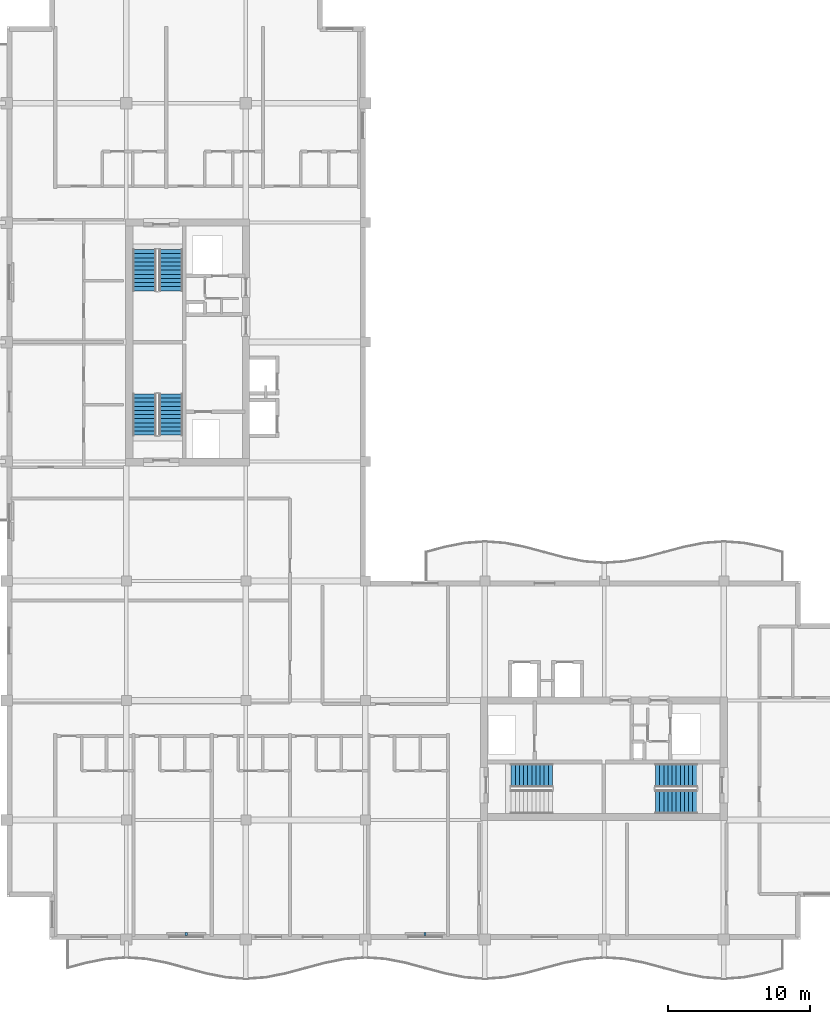
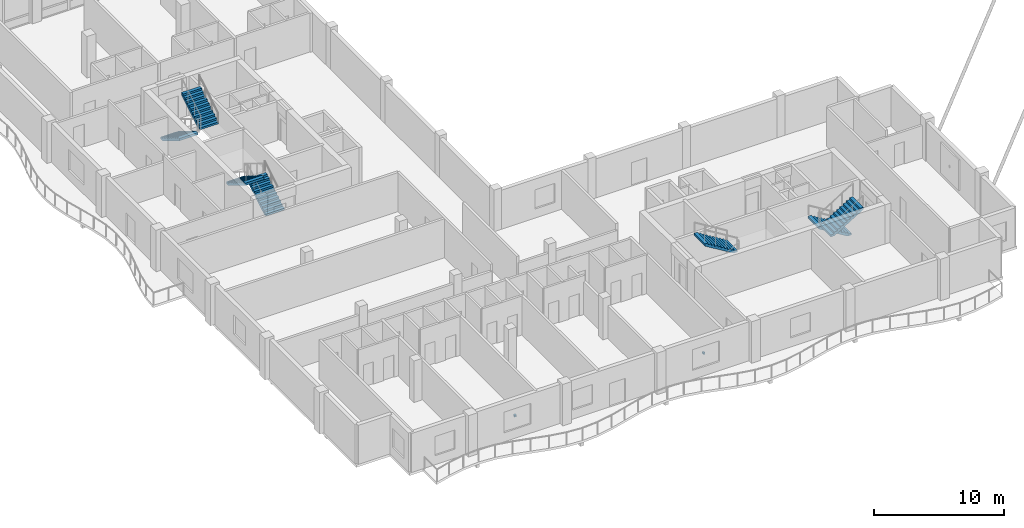
# One storey, part 12 of 17: 7 stair flights, 2 discrete accessories, 4 elements without a shape of their own.
"""IFC4 building model written with IfcOpenShell, lengths in metres."""

from ifc_helpers import new_model, si_unit, direction, frame, origin, origin_2d, place, context, subcontext, project, spatial, polyline, rectangle, outline, extrude, material, type_object, element, aggregate, save


model = new_model("IFC4")

# Units and contexts
model_context = context("Model", 3, precision=1e-05, world=origin(), true_north=direction((0.0, 1.0)))
body_context = subcontext(model_context, "Body", "Model", "MODEL_VIEW")
ifc_project = project(units=[si_unit("LENGTHUNIT", "METRE"), si_unit("AREAUNIT", "SQUARE_METRE"), si_unit("VOLUMEUNIT", "CUBIC_METRE"), si_unit("PLANEANGLEUNIT", "RADIAN"), si_unit("MASSUNIT", "GRAM", prefix="KILO")], contexts=[model_context])

# Site, building, storey
site_placement = place(None, origin())
site = spatial("IfcSite", under=ifc_project, at=site_placement, CompositionType="ELEMENT")
building_placement = place(site_placement, origin())
building = spatial("IfcBuilding", under=site, at=building_placement, Name="Koriwani Terraces Tower", CompositionType="ELEMENT")
storey_placement = place(building_placement, frame((0.0, 0.0, 347.60009765625)))
storey = spatial("IfcBuildingStorey", under=building, at=storey_placement, Name="L86", CompositionType="ELEMENT", Elevation=347.60009765625)

# Stair, stair flights
ifc_material_1 = material(Name="Concrete C40/50", Category="concrete")
stair_type = type_object("IfcStairType", Name="STAIR_CORE_DOGLEG_1650", PredefinedType="TWO_STRAIGHT_RUN_STAIR", material=ifc_material_1)
stair_1_placement = place(storey_placement, origin())
stair_1 = element("IfcStair", 1, at=stair_1_placement, inside=storey, type_object=stair_type, Name="L86 West Core Exit Stair 1", PredefinedType="HALF_TURN_STAIR")
stair_flight_type = type_object("IfcStairFlightType", Name="STAIR_FLIGHT_RC_1650", PredefinedType="STRAIGHT", material=ifc_material_1)
stair_flight_1_placement = place(storey_placement, frame((19.925048828125, 43.85009765625, 0.0), z_axis=(0.0, 0.0, 1.0), x_axis=(0.0, 1.0, 0.0)))
stair_flight_1 = element("IfcStairFlight", 2, at=stair_flight_1_placement, type_object=stair_flight_type, Name="ST-W1 flight 1", NumberOfRisers=11, NumberOfTreads=10, PredefinedType="STRAIGHT", RiserHeight=0.177272727, TreadLength=0.29, context=body_context, shape_type="SweptSolid", body=[
    extrude(outline(polyline([(0.0, 0.0), (0.0, 0.17724609375), (0.2900390625, 0.17724609375), (0.2900390625, 0.3544921875), (0.580078125, 0.3544921875), (0.580078125, 0.53173828125), (0.8701171875, 0.53173828125), (0.8701171875, 0.708984375), (1.159912109375, 0.708984375), (1.159912109375, 0.886474609375), (1.449951171875, 0.886474609375), (1.449951171875, 1.063720703125), (1.739990234375, 1.063720703125), (1.739990234375, 1.240966796875), (2.030029296875, 1.240966796875), (2.030029296875, 1.418212890625), (2.320068359375, 1.418212890625), (2.320068359375, 1.595458984375), (2.610107421875, 1.595458984375), (2.610107421875, 1.772705078125), (2.89990234375, 1.772705078125), (2.89990234375, 1.949951171875), (2.89990234375, 1.561767578125), (0.344970703125, 0.0), (0.0, 0.0)])), frame((0.0, 0.824951171875, 0.0), z_axis=(0.0, -1.0, 0.0), x_axis=(1.0, 0.0, 0.0)), (0.0, 0.0, 1.0), 1.64990234375),
])
stair_flight_2_placement = place(storey_placement, frame((18.074951171875, 46.75, 1.949951171875), z_axis=(0.0, 0.0, 1.0), x_axis=(0.0, -1.0, 0.0)))
stair_flight_2 = element("IfcStairFlight", 3, at=stair_flight_2_placement, type_object=stair_flight_type, Name="ST-W1 flight 2", NumberOfRisers=11, NumberOfTreads=10, PredefinedType="STRAIGHT", RiserHeight=0.177272727, TreadLength=0.29, context=body_context, shape_type="SweptSolid", body=[
    extrude(outline(polyline([(0.0, 0.0), (0.0, 0.17724609375), (0.2900390625, 0.17724609375), (0.2900390625, 0.3544921875), (0.580078125, 0.3544921875), (0.580078125, 0.53173828125), (0.8701171875, 0.53173828125), (0.8701171875, 0.708984375), (1.159912109375, 0.708984375), (1.159912109375, 0.886474609375), (1.449951171875, 0.886474609375), (1.449951171875, 1.063720703125), (1.739990234375, 1.063720703125), (1.739990234375, 1.240966796875), (2.030029296875, 1.240966796875), (2.030029296875, 1.418212890625), (2.320068359375, 1.418212890625), (2.320068359375, 1.595458984375), (2.610107421875, 1.595458984375), (2.610107421875, 1.772705078125), (2.89990234375, 1.772705078125), (2.89990234375, 1.949951171875), (2.89990234375, 1.561767578125), (0.344970703125, 0.0), (0.0, 0.0)])), frame((0.0, 0.824951171875, 0.0), z_axis=(0.0, -1.0, 0.0), x_axis=(1.0, 0.0, 0.0)), (0.0, 0.0, 1.0), 1.64990234375),
])
aggregate(stair_1, [stair_flight_1, stair_flight_2])

stair_2_placement = place(storey_placement, origin())
stair_2 = element("IfcStair", 4, at=stair_2_placement, inside=storey, type_object=stair_type, Name="L86 West Core Exit Stair 2", PredefinedType="HALF_TURN_STAIR")
stair_flight_3_placement = place(storey_placement, frame((18.074951171875, 56.89990234375, 0.0), z_axis=(0.0, 0.0, 1.0), x_axis=(0.0, -1.0, 0.0)))
stair_flight_3 = element("IfcStairFlight", 5, at=stair_flight_3_placement, type_object=stair_flight_type, Name="ST-W2 flight 1", NumberOfRisers=11, NumberOfTreads=10, PredefinedType="STRAIGHT", RiserHeight=0.177272727, TreadLength=0.29, context=body_context, shape_type="SweptSolid", body=[
    extrude(outline(polyline([(0.0, 0.0), (0.0, 0.17724609375), (0.2900390625, 0.17724609375), (0.2900390625, 0.3544921875), (0.580078125, 0.3544921875), (0.580078125, 0.53173828125), (0.8701171875, 0.53173828125), (0.8701171875, 0.708984375), (1.159912109375, 0.708984375), (1.159912109375, 0.886474609375), (1.449951171875, 0.886474609375), (1.449951171875, 1.063720703125), (1.739990234375, 1.063720703125), (1.739990234375, 1.240966796875), (2.030029296875, 1.240966796875), (2.030029296875, 1.418212890625), (2.320068359375, 1.418212890625), (2.320068359375, 1.595458984375), (2.610107421875, 1.595458984375), (2.610107421875, 1.772705078125), (2.89990234375, 1.772705078125), (2.89990234375, 1.949951171875), (2.89990234375, 1.561767578125), (0.344970703125, 0.0), (0.0, 0.0)])), frame((0.0, 0.824951171875, 0.0), z_axis=(0.0, -1.0, 0.0), x_axis=(1.0, 0.0, 0.0)), (0.0, 0.0, 1.0), 1.64990234375),
])
stair_flight_4_placement = place(storey_placement, frame((19.925048828125, 54.0, 1.949951171875), z_axis=(0.0, 0.0, 1.0), x_axis=(0.0, 1.0, 0.0)))
stair_flight_4 = element("IfcStairFlight", 6, at=stair_flight_4_placement, type_object=stair_flight_type, Name="ST-W2 flight 2", NumberOfRisers=11, NumberOfTreads=10, PredefinedType="STRAIGHT", RiserHeight=0.177272727, TreadLength=0.29, context=body_context, shape_type="SweptSolid", body=[
    extrude(outline(polyline([(0.0, 0.0), (0.0, 0.17724609375), (0.2900390625, 0.17724609375), (0.2900390625, 0.3544921875), (0.580078125, 0.3544921875), (0.580078125, 0.53173828125), (0.8701171875, 0.53173828125), (0.8701171875, 0.708984375), (1.159912109375, 0.708984375), (1.159912109375, 0.886474609375), (1.449951171875, 0.886474609375), (1.449951171875, 1.063720703125), (1.739990234375, 1.063720703125), (1.739990234375, 1.240966796875), (2.030029296875, 1.240966796875), (2.030029296875, 1.418212890625), (2.320068359375, 1.418212890625), (2.320068359375, 1.595458984375), (2.610107421875, 1.595458984375), (2.610107421875, 1.772705078125), (2.89990234375, 1.772705078125), (2.89990234375, 1.949951171875), (2.89990234375, 1.561767578125), (0.344970703125, 0.0), (0.0, 0.0)])), frame((0.0, 0.824951171875, 0.0), z_axis=(0.0, -1.0, 0.0), x_axis=(1.0, 0.0, 0.0)), (0.0, 0.0, 1.0), 1.64990234375),
])
aggregate(stair_2, [stair_flight_3, stair_flight_4])

# Stair, stair flight
stair_3_placement = place(storey_placement, origin())
stair_3 = element("IfcStair", 7, at=stair_3_placement, inside=storey, type_object=stair_type, Name="L86 East Core Exit Stair 1", PredefinedType="HALF_TURN_STAIR")
stair_flight_5_placement = place(storey_placement, frame((46.75, 19.925048828125, 1.949951171875), z_axis=(0.0, 0.0, 1.0), x_axis=(-1.0, 0.0, 0.0)))
stair_flight_5 = element("IfcStairFlight", 8, at=stair_flight_5_placement, type_object=stair_flight_type, Name="ST-E1 flight 2", NumberOfRisers=11, NumberOfTreads=10, PredefinedType="STRAIGHT", RiserHeight=0.177272727, TreadLength=0.29, context=body_context, shape_type="SweptSolid", body=[
    extrude(outline(polyline([(0.0, 0.0), (0.0, 0.17724609375), (0.2900390625, 0.17724609375), (0.2900390625, 0.3544921875), (0.580078125, 0.3544921875), (0.580078125, 0.53173828125), (0.8701171875, 0.53173828125), (0.8701171875, 0.708984375), (1.159912109375, 0.708984375), (1.159912109375, 0.886474609375), (1.449951171875, 0.886474609375), (1.449951171875, 1.063720703125), (1.739990234375, 1.063720703125), (1.739990234375, 1.240966796875), (2.030029296875, 1.240966796875), (2.030029296875, 1.418212890625), (2.320068359375, 1.418212890625), (2.320068359375, 1.595458984375), (2.610107421875, 1.595458984375), (2.610107421875, 1.772705078125), (2.89990234375, 1.772705078125), (2.89990234375, 1.949951171875), (2.89990234375, 1.561767578125), (0.344970703125, 0.0), (0.0, 0.0)])), frame((0.0, 0.824951171875, 0.0), z_axis=(0.0, -1.0, 0.0), x_axis=(1.0, 0.0, 0.0)), (0.0, 0.0, 1.0), 1.64990234375),
])
aggregate(stair_3, [stair_flight_5])

# Stair, stair flights
stair_4_placement = place(storey_placement, origin())
stair_4 = element("IfcStair", 9, at=stair_4_placement, inside=storey, type_object=stair_type, Name="L86 East Core Exit Stair 2", PredefinedType="HALF_TURN_STAIR")
stair_flight_6_placement = place(storey_placement, frame((56.89990234375, 19.925048828125, 0.0), z_axis=(0.0, 0.0, 1.0), x_axis=(-1.0, 0.0, 0.0)))
stair_flight_6 = element("IfcStairFlight", 10, at=stair_flight_6_placement, type_object=stair_flight_type, Name="ST-E2 flight 1", NumberOfRisers=11, NumberOfTreads=10, PredefinedType="STRAIGHT", RiserHeight=0.177272727, TreadLength=0.29, context=body_context, shape_type="SweptSolid", body=[
    extrude(outline(polyline([(0.0, 0.0), (0.0, 0.17724609375), (0.2900390625, 0.17724609375), (0.2900390625, 0.3544921875), (0.580078125, 0.3544921875), (0.580078125, 0.53173828125), (0.8701171875, 0.53173828125), (0.8701171875, 0.708984375), (1.159912109375, 0.708984375), (1.159912109375, 0.886474609375), (1.449951171875, 0.886474609375), (1.449951171875, 1.063720703125), (1.739990234375, 1.063720703125), (1.739990234375, 1.240966796875), (2.030029296875, 1.240966796875), (2.030029296875, 1.418212890625), (2.320068359375, 1.418212890625), (2.320068359375, 1.595458984375), (2.610107421875, 1.595458984375), (2.610107421875, 1.772705078125), (2.89990234375, 1.772705078125), (2.89990234375, 1.949951171875), (2.89990234375, 1.561767578125), (0.344970703125, 0.0), (0.0, 0.0)])), frame((0.0, 0.824951171875, 0.0), z_axis=(0.0, -1.0, 0.0), x_axis=(1.0, 0.0, 0.0)), (0.0, 0.0, 1.0), 1.64990234375),
])
stair_flight_7_placement = place(storey_placement, frame((54.0, 18.074951171875, 1.949951171875), z_axis=(0.0, 0.0, 1.0), x_axis=(1.0, 0.0, 0.0)))
stair_flight_7 = element("IfcStairFlight", 11, at=stair_flight_7_placement, type_object=stair_flight_type, Name="ST-E2 flight 2", NumberOfRisers=11, NumberOfTreads=10, PredefinedType="STRAIGHT", RiserHeight=0.177272727, TreadLength=0.29, context=body_context, shape_type="SweptSolid", body=[
    extrude(outline(polyline([(0.0, 0.0), (0.0, 0.17724609375), (0.2900390625, 0.17724609375), (0.2900390625, 0.3544921875), (0.580078125, 0.3544921875), (0.580078125, 0.53173828125), (0.8701171875, 0.53173828125), (0.8701171875, 0.708984375), (1.159912109375, 0.708984375), (1.159912109375, 0.886474609375), (1.449951171875, 0.886474609375), (1.449951171875, 1.063720703125), (1.739990234375, 1.063720703125), (1.739990234375, 1.240966796875), (2.030029296875, 1.240966796875), (2.030029296875, 1.418212890625), (2.320068359375, 1.418212890625), (2.320068359375, 1.595458984375), (2.610107421875, 1.595458984375), (2.610107421875, 1.772705078125), (2.89990234375, 1.772705078125), (2.89990234375, 1.949951171875), (2.89990234375, 1.561767578125), (0.344970703125, 0.0), (0.0, 0.0)])), frame((0.0, 0.824951171875, 0.0), z_axis=(0.0, -1.0, 0.0), x_axis=(1.0, 0.0, 0.0)), (0.0, 0.0, 1.0), 1.64990234375),
])
aggregate(stair_4, [stair_flight_6, stair_flight_7])

# Discrete accessories
ifc_material_2 = material(Name="Steel ASTM A572 Grade 50", Category="steel")
discrete_accessory_type = type_object("IfcDiscreteAccessoryType", Name="BAGUETTE_STANDOFF_BRACKET", PredefinedType="BRACKET", material=ifc_material_2)
for number, where, z_axis, x_axis, name in (
    (12, (21.0, 8.7900390625, 1.7451171875), (0.0, 0.0, 1.0), (-1.0, 0.0, 0.0), "L86 Terracotta Baguette Bracket (S-3)"),
    (13, (37.800048828125, 8.7900390625, 1.7451171875), (0.0, 0.0, 1.0), (-1.0, 0.0, 0.0), "L86 Terracotta Baguette Bracket (S-9)"),
):
    element("IfcDiscreteAccessory", number, at=place(storey_placement, frame(where, z_axis=z_axis, x_axis=x_axis)), inside=storey, type_object=discrete_accessory_type, Name=name, PredefinedType="BRACKET", context=body_context, shape_type="SweptSolid", body=[
        extrude(rectangle(XDim=0.159912109375, YDim=0.199951171875, at=origin_2d()), origin(), (0.0, 0.0, 1.0), 0.179931640625),
    ])

save(model, "model.ifc")
